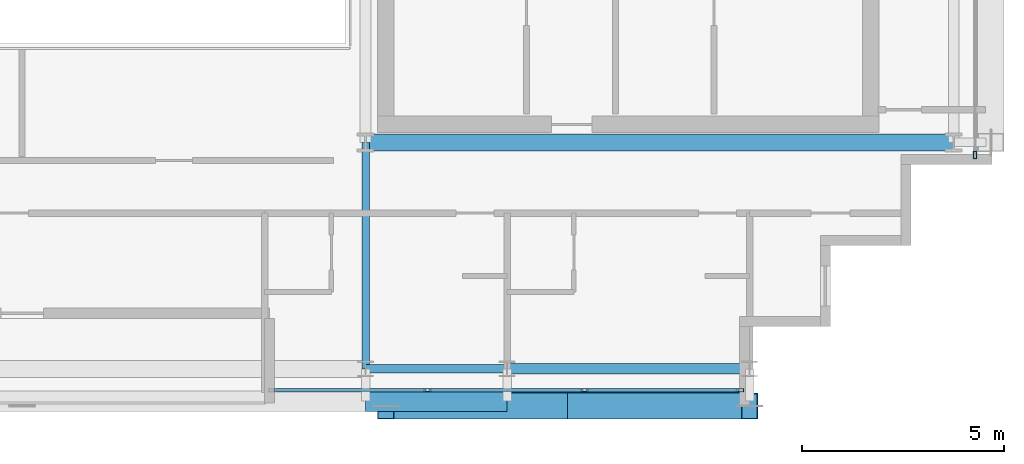
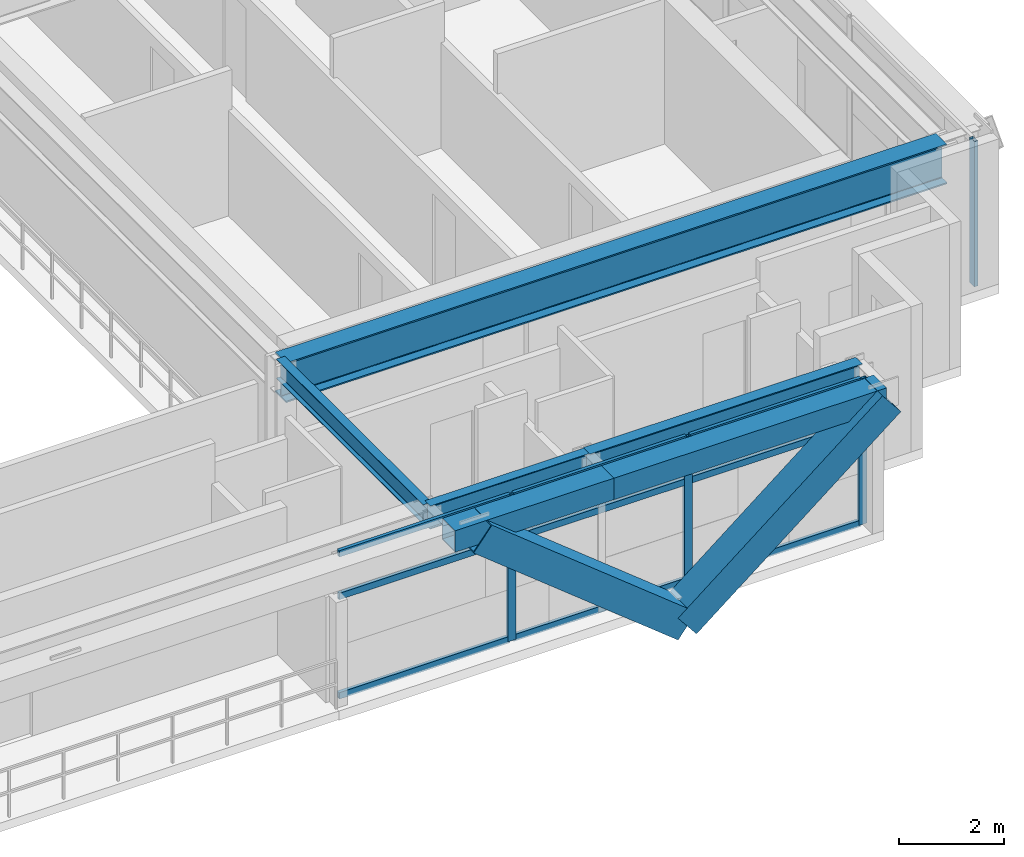
# One storey, part 8 of 28: 15 members, 6 beams, 2 elements without a shape of their own.
"""IFC4 building model written with IfcOpenShell, lengths in metres."""

from ifc_helpers import new_model, si_unit, direction, frame, origin, origin_2d, place, context, subcontext, project, spatial, hollow_rectangle, i_section, extrude, source, transform, mapped, material, layer, layer_set, material_profile, profile_set, type_object, element, aggregate, save


model = new_model("IFC4")

# Units and contexts
model_context = context("Model", 3, precision=1e-05, world=origin(), true_north=direction((0.0, 1.0)))
body_context = subcontext(model_context, "Body", "Model", "MODEL_VIEW")
ifc_project = project(units=[si_unit("LENGTHUNIT", "METRE"), si_unit("AREAUNIT", "SQUARE_METRE"), si_unit("VOLUMEUNIT", "CUBIC_METRE"), si_unit("PLANEANGLEUNIT", "RADIAN"), si_unit("MASSUNIT", "GRAM", prefix="KILO")], contexts=[model_context])

# Site, building, storey
site_placement = place(None, origin())
site = spatial("IfcSite", under=ifc_project, at=site_placement, CompositionType="ELEMENT")
building_placement = place(site_placement, origin())
building = spatial("IfcBuilding", under=site, at=building_placement, Name="Ocotamira Hotel", CompositionType="ELEMENT")
storey_placement = place(building_placement, frame((0.0, 0.0, 240.0)))
storey = spatial("IfcBuildingStorey", under=building, at=storey_placement, Name="L60", CompositionType="ELEMENT", Elevation=240.0)

# Beams
ifc_material_1 = material(Name="Steel ASTM A992 Grade 50", Category="steel")
ifc_material_profile_1 = material_profile(ifc_material_1, i_section(OverallWidth=0.41796875, OverallDepth=0.927001953125, WebThickness=0.019287109375, FlangeThickness=0.031982421875, FilletRadius=0.02392578125, at=origin_2d()), Name="W36X231")
ifc_profile_set_1 = profile_set([ifc_material_profile_1], Name="Steel ASTM A992 Grade 50")
beam_type_1 = type_object("IfcBeamType", Name="BM-GIRD-W36X231", PredefinedType="BEAM", material=ifc_profile_set_1)
shared_shape_1 = source(origin(), body_context, "Body", "SweptSolid", [
    extrude(i_section(OverallWidth=0.41796875, OverallDepth=0.927001953125, WebThickness=0.019287109375, FlangeThickness=0.031982421875, FilletRadius=0.02392578125, at=origin_2d()), origin(), (0.0, 0.0, 1.0), 14.550048828125),
])
beam_1_placement = place(storey_placement, frame((40.5, 14.550048828125, 2.91650390625), z_axis=(1.0, 0.0, 0.0), x_axis=(0.0, 1.0, 0.0)))
element("IfcBeam", 1, at=beam_1_placement, inside=storey, type_object=beam_type_1, Name="L60 Girder Y14.55 X40.5-55.05", PredefinedType="BEAM", context=body_context, shape_type="MappedRepresentation", body=[
    mapped(shared_shape_1, transform((0.0, 0.0, 0.0), scale=1.0)),
])
ifc_material_profile_2 = material_profile(ifc_material_1, i_section(OverallWidth=0.256103515625, OverallDepth=0.693115234375, WebThickness=0.014404296875, FlangeThickness=0.023681640625, FilletRadius=0.01611328125, at=origin_2d()), Name="W27X114")
ifc_profile_set_2 = profile_set([ifc_material_profile_2], Name="Steel ASTM A992 Grade 50")
beam_type_2 = type_object("IfcBeamType", Name="BM-PRIM-W27X114", PredefinedType="BEAM", material=ifc_profile_set_2)
shared_shape_2 = source(origin(), body_context, "Body", "SweptSolid", [
    extrude(i_section(OverallWidth=0.256103515625, OverallDepth=0.693115234375, WebThickness=0.014404296875, FlangeThickness=0.023681640625, FilletRadius=0.01611328125, at=origin_2d()), origin(), (0.0, 0.0, 1.0), 6.0),
])
beam_2_placement = place(storey_placement, frame((44.0, 8.949951171875, 3.033447265625), z_axis=(1.0, 0.0, 0.0), x_axis=(0.0, 1.0, 0.0)))
element("IfcBeam", 2, at=beam_2_placement, inside=storey, type_object=beam_type_2, Name="L60 Girder Y8.95 X44-50", PredefinedType="BEAM", context=body_context, shape_type="MappedRepresentation", body=[
    mapped(shared_shape_2, transform((0.0, 0.0, 0.0), scale=1.0)),
])
ifc_material_profile_3 = material_profile(ifc_material_1, i_section(OverallWidth=0.2099609375, OverallDepth=0.537109375, WebThickness=0.010986328125, FlangeThickness=0.017333984375, FilletRadius=0.012939453125, at=origin_2d()), Name="W21X68")
ifc_profile_set_3 = profile_set([ifc_material_profile_3], Name="Steel ASTM A992 Grade 50")
beam_type_3 = type_object("IfcBeamType", Name="BM-SEC-W21X68", PredefinedType="JOIST", material=ifc_profile_set_3)
shared_shape_3 = source(origin(), body_context, "Body", "SweptSolid", [
    extrude(i_section(OverallWidth=0.2099609375, OverallDepth=0.537109375, WebThickness=0.010986328125, FlangeThickness=0.017333984375, FilletRadius=0.012939453125, at=origin_2d()), origin(), (0.0, 0.0, 1.0), 3.5),
])
beam_3_placement = place(storey_placement, frame((40.5, 8.949951171875, 3.111572265625), z_axis=(1.0, 0.0, 0.0), x_axis=(0.0, 1.0, 0.0)))
element("IfcBeam", 3, at=beam_3_placement, inside=storey, type_object=beam_type_3, Name="L60 Girder Y8.95 X40.5-44", PredefinedType="JOIST", context=body_context, shape_type="MappedRepresentation", body=[
    mapped(shared_shape_3, transform((0.0, 0.0, 0.0), scale=1.0)),
])
ifc_material_2 = material(Name="Steel ASTM A500 Grade C", Category="steel")
ifc_material_profile_4 = material_profile(ifc_material_2, hollow_rectangle(XDim=0.5, YDim=0.5, WallThickness=0.02001953125, at=origin_2d()), Name="HSS500X500X20")
ifc_profile_set_4 = profile_set([ifc_material_profile_4], Name="Steel ASTM A500 Grade C")
beam_type_4 = type_object("IfcBeamType", Name="BM-SPAN-HSS500", PredefinedType="USERDEFINED", material=ifc_profile_set_4)
shared_shape_4 = source(origin(), body_context, "Body", "SweptSolid", [
    extrude(hollow_rectangle(XDim=0.5, YDim=0.5, WallThickness=0.02001953125, at=origin_2d()), origin(), (0.0, 0.0, 1.0), 6.0),
])
beam_4_placement = place(storey_placement, frame((44.0, 8.14990234375, 3.1298828125), z_axis=(1.0, 0.0, 0.0), x_axis=(0.0, 1.0, 0.0)))
element("IfcBeam", 4, at=beam_4_placement, inside=storey, type_object=beam_type_4, Name="L60 Edge Spandrel S X44-50", ObjectType="SPANDREL", PredefinedType="USERDEFINED", context=body_context, shape_type="MappedRepresentation", body=[
    mapped(shared_shape_4, transform((0.0, 0.0, 0.0), scale=1.0)),
])
shared_shape_5 = source(origin(), body_context, "Body", "SweptSolid", [
    extrude(hollow_rectangle(XDim=0.5, YDim=0.5, WallThickness=0.02001953125, at=origin_2d()), origin(), (0.0, 0.0, 1.0), 3.5),
])
beam_5_placement = place(storey_placement, frame((40.5, 8.14990234375, 3.1298828125), z_axis=(1.0, 0.0, 0.0), x_axis=(0.0, 1.0, 0.0)))
element("IfcBeam", 5, at=beam_5_placement, inside=storey, type_object=beam_type_4, Name="L60 Edge Spandrel S X40.5-44", ObjectType="SPANDREL", PredefinedType="USERDEFINED", context=body_context, shape_type="MappedRepresentation", body=[
    mapped(shared_shape_5, transform((0.0, 0.0, 0.0), scale=1.0)),
])
ifc_material_profile_5 = material_profile(ifc_material_1, i_section(OverallWidth=0.18994140625, OverallDepth=0.45703125, WebThickness=0.009033203125, FlangeThickness=0.014404296875, FilletRadius=0.010009765625, at=origin_2d()), Name="W18X50")
ifc_profile_set_5 = profile_set([ifc_material_profile_5], Name="Steel ASTM A992 Grade 50")
beam_type_5 = type_object("IfcBeamType", Name="BM-SEC-W18X50", PredefinedType="JOIST", material=ifc_profile_set_5)
shared_shape_6 = source(origin(), body_context, "Body", "SweptSolid", [
    extrude(i_section(OverallWidth=0.18994140625, OverallDepth=0.45703125, WebThickness=0.009033203125, FlangeThickness=0.014404296875, FilletRadius=0.010009765625, at=origin_2d()), origin(), (0.0, 0.0, 1.0), 5.60009765625),
])
beam_6_placement = place(storey_placement, frame((40.5, 8.949951171875, 3.151611328125), z_axis=(0.0, 1.0, 0.0), x_axis=(-1.0, 0.0, 0.0)))
element("IfcBeam", 6, at=beam_6_placement, inside=storey, type_object=beam_type_5, Name="L60 Beam X40.5 Y8.95-14.55", PredefinedType="JOIST", context=body_context, shape_type="MappedRepresentation", body=[
    mapped(shared_shape_6, transform((0.0, 0.0, 0.0), scale=1.0)),
])

# Members
ifc_material_3 = material(Name="Pale-metal coated steel ASTM A913 Grade 65", Category="steel")
ifc_material_profile_6 = material_profile(ifc_material_3, hollow_rectangle(XDim=0.64990234375, YDim=0.64990234375, WallThickness=0.02197265625, at=origin_2d()), Name="BOX650X650X22")
ifc_profile_set_6 = profile_set([ifc_material_profile_6], Name="Pale-metal coated steel ASTM A913 Grade 65")
member_type_1 = type_object("IfcMemberType", Name="MEM-EXO-BOX650", PredefinedType="BRACE", material=ifc_profile_set_6)
shared_shape_7 = source(origin(), body_context, "Body", "SweptSolid", [
    extrude(hollow_rectangle(XDim=0.64990234375, YDim=0.64990234375, WallThickness=0.02197265625, at=origin_2d()), origin(), (0.0, 0.0, 1.0), 5.7626953125),
])
for number, where, z_axis, x_axis, name in (
    (7, (45.5, 8.030029296875, -0.469970703125), (-0.780881208953, 0.0, 0.624679547852), (0.0, -1.0, 0.0), "L60 Exoskeleton Diagrid S3.1"),
    (8, (45.5, 8.030029296875, -0.469970703125), (0.780881208953, 0.0, 0.624679547852), (0.0, 1.0, 0.0), "L60 Exoskeleton Diagrid S3.2"),
):
    element("IfcMember", number, at=place(storey_placement, frame(where, z_axis=z_axis, x_axis=x_axis)), inside=storey, type_object=member_type_1, Name=name, PredefinedType="BRACE", context=body_context, shape_type="MappedRepresentation", body=[
        mapped(shared_shape_7, transform((0.0, 0.0, 0.0), scale=1.0)),
    ])

# Curtain wall, members
ifc_material_4 = material(Name="Anodised pale-metal aluminium and solar glass", Category="aluminium")
ifc_layer = layer(ifc_material_4, 0.239990234375)
ifc_layer_set = layer_set([ifc_layer], Name="Anodised pale-metal aluminium and solar glass")
curtain_wall_type = type_object("IfcCurtainWallType", Name="CW-SYS5-SKY", PredefinedType="NOTDEFINED", material=ifc_layer_set)
curtain_wall_1_placement = place(storey_placement, origin())
curtain_wall_1 = element("IfcCurtainWall", 9, at=curtain_wall_1_placement, inside=storey, type_object=curtain_wall_type, Name="L60 Curtain Wall CW-5 CW-L60-S2", PredefinedType="NOTDEFINED")
ifc_material_5 = material(Name="Anodised pale-metal aluminium 6063-T6", Category="aluminium")
ifc_material_profile_7 = material_profile(ifc_material_5, hollow_rectangle(XDim=0.074951171875, YDim=0.14990234375, WallThickness=0.006103515625, at=origin_2d()), Name="HSS150X75X6")
ifc_profile_set_7 = profile_set([ifc_material_profile_7], Name="Anodised pale-metal aluminium 6063-T6")
member_type_2 = type_object("IfcMemberType", Name="CWT-150X75", PredefinedType="USERDEFINED", material=ifc_profile_set_7)
shared_shape_8 = source(origin(), body_context, "Body", "SweptSolid", [
    extrude(hollow_rectangle(XDim=0.074951171875, YDim=0.14990234375, WallThickness=0.006103515625, at=origin_2d()), origin(), (0.0, 0.0, 1.0), 3.76318359375),
])
member_1_placement = place(storey_placement, frame((45.956787109375, 8.419921875, 0.03759765625), z_axis=(1.0, 0.0, 0.0), x_axis=(0.0, 1.0, 0.0)))
member_1 = element("IfcMember", 10, at=member_1_placement, type_object=member_type_2, Name="CW-5 transom 3.1", ObjectType="TRANSOM", PredefinedType="USERDEFINED", context=body_context, shape_type="MappedRepresentation", body=[
    mapped(shared_shape_8, transform((0.0, 0.0, 0.0), scale=1.0)),
])
member_2_placement = place(storey_placement, frame((45.956787109375, 8.419921875, 2.35009765625), z_axis=(1.0, 0.0, 0.0), x_axis=(0.0, 1.0, 0.0)))
member_2 = element("IfcMember", 11, at=member_2_placement, type_object=member_type_2, Name="CW-5 transom 3.2", ObjectType="TRANSOM", PredefinedType="USERDEFINED", context=body_context, shape_type="MappedRepresentation", body=[
    mapped(shared_shape_8, transform((0.0, 0.0, 0.0), scale=1.0)),
])
member_3_placement = place(storey_placement, frame((45.956787109375, 8.419921875, 3.342529296875), z_axis=(1.0, 0.0, 0.0), x_axis=(0.0, 1.0, 0.0)))
member_3 = element("IfcMember", 12, at=member_3_placement, type_object=member_type_2, Name="CW-5 transom 3.3", ObjectType="TRANSOM", PredefinedType="USERDEFINED", context=body_context, shape_type="MappedRepresentation", body=[
    mapped(shared_shape_8, transform((0.0, 0.0, 0.0), scale=1.0)),
])
shared_shape_9 = source(origin(), body_context, "Body", "SweptSolid", [
    extrude(hollow_rectangle(XDim=0.074951171875, YDim=0.14990234375, WallThickness=0.006103515625, at=origin_2d()), origin(), (0.0, 0.0, 1.0), 3.803466796875),
])
member_4_placement = place(storey_placement, frame((42.0732421875, 8.419921875, 0.03759765625), z_axis=(1.0, 0.0, 0.0), x_axis=(0.0, 1.0, 0.0)))
member_4 = element("IfcMember", 13, at=member_4_placement, type_object=member_type_2, Name="CW-5 transom 2.1", ObjectType="TRANSOM", PredefinedType="USERDEFINED", context=body_context, shape_type="MappedRepresentation", body=[
    mapped(shared_shape_9, transform((0.0, 0.0, 0.0), scale=1.0)),
])
member_5_placement = place(storey_placement, frame((42.0732421875, 8.419921875, 2.35009765625), z_axis=(1.0, 0.0, 0.0), x_axis=(0.0, 1.0, 0.0)))
member_5 = element("IfcMember", 14, at=member_5_placement, type_object=member_type_2, Name="CW-5 transom 2.2", ObjectType="TRANSOM", PredefinedType="USERDEFINED", context=body_context, shape_type="MappedRepresentation", body=[
    mapped(shared_shape_9, transform((0.0, 0.0, 0.0), scale=1.0)),
])
member_6_placement = place(storey_placement, frame((42.0732421875, 8.419921875, 3.342529296875), z_axis=(1.0, 0.0, 0.0), x_axis=(0.0, 1.0, 0.0)))
member_6 = element("IfcMember", 15, at=member_6_placement, type_object=member_type_2, Name="CW-5 transom 2.3", ObjectType="TRANSOM", PredefinedType="USERDEFINED", context=body_context, shape_type="MappedRepresentation", body=[
    mapped(shared_shape_9, transform((0.0, 0.0, 0.0), scale=1.0)),
])
shared_shape_10 = source(origin(), body_context, "Body", "SweptSolid", [
    extrude(hollow_rectangle(XDim=0.074951171875, YDim=0.14990234375, WallThickness=0.006103515625, at=origin_2d()), origin(), (0.0, 0.0, 1.0), 3.763427734375),
])
member_7_placement = place(storey_placement, frame((38.22998046875, 8.419921875, 0.03759765625), z_axis=(1.0, 0.0, 0.0), x_axis=(0.0, 1.0, 0.0)))
member_7 = element("IfcMember", 16, at=member_7_placement, type_object=member_type_2, Name="CW-5 transom 1.1", ObjectType="TRANSOM", PredefinedType="USERDEFINED", context=body_context, shape_type="MappedRepresentation", body=[
    mapped(shared_shape_10, transform((0.0, 0.0, 0.0), scale=1.0)),
])
member_8_placement = place(storey_placement, frame((38.22998046875, 8.419921875, 2.35009765625), z_axis=(1.0, 0.0, 0.0), x_axis=(0.0, 1.0, 0.0)))
member_8 = element("IfcMember", 17, at=member_8_placement, type_object=member_type_2, Name="CW-5 transom 1.2", ObjectType="TRANSOM", PredefinedType="USERDEFINED", context=body_context, shape_type="MappedRepresentation", body=[
    mapped(shared_shape_10, transform((0.0, 0.0, 0.0), scale=1.0)),
])
member_9_placement = place(storey_placement, frame((38.22998046875, 8.419921875, 3.342529296875), z_axis=(1.0, 0.0, 0.0), x_axis=(0.0, 1.0, 0.0)))
member_9 = element("IfcMember", 18, at=member_9_placement, type_object=member_type_2, Name="CW-5 transom 1.3", ObjectType="TRANSOM", PredefinedType="USERDEFINED", context=body_context, shape_type="MappedRepresentation", body=[
    mapped(shared_shape_10, transform((0.0, 0.0, 0.0), scale=1.0)),
])
ifc_material_profile_8 = material_profile(ifc_material_5, hollow_rectangle(XDim=0.080078125, YDim=0.179931640625, WallThickness=0.006103515625, at=origin_2d()), Name="HSS180X80X6")
ifc_profile_set_8 = profile_set([ifc_material_profile_8], Name="Anodised pale-metal aluminium 6063-T6")
member_type_3 = type_object("IfcMemberType", Name="CWM-180X75", PredefinedType="MULLION", material=ifc_profile_set_8)
shared_shape_11 = source(origin(), body_context, "Body", "SweptSolid", [
    extrude(hollow_rectangle(XDim=0.080078125, YDim=0.179931640625, WallThickness=0.006103515625, at=origin_2d()), origin(), (0.0, 0.0, 1.0), 3.3798828125),
])
member_10_placement = place(storey_placement, frame((42.033447265625, 8.419921875, 0.0), z_axis=(0.0, 0.0, 1.0), x_axis=(0.0, 1.0, 0.0)))
member_10 = element("IfcMember", 19, at=member_10_placement, type_object=member_type_3, Name="CW-5 mullion 2", PredefinedType="MULLION", context=body_context, shape_type="MappedRepresentation", body=[
    mapped(shared_shape_11, transform((0.0, 0.0, 0.0), scale=1.0)),
])
member_11_placement = place(storey_placement, frame((45.916748046875, 8.419921875, 0.0), z_axis=(0.0, 0.0, 1.0), x_axis=(0.0, 1.0, 0.0)))
member_11 = element("IfcMember", 20, at=member_11_placement, type_object=member_type_3, Name="CW-5 mullion 3", PredefinedType="MULLION", context=body_context, shape_type="MappedRepresentation", body=[
    mapped(shared_shape_11, transform((0.0, 0.0, 0.0), scale=1.0)),
])
member_12_placement = place(storey_placement, frame((49.760009765625, 8.419921875, 0.0), z_axis=(0.0, 0.0, 1.0), x_axis=(0.0, 1.0, 0.0)))
member_12 = element("IfcMember", 21, at=member_12_placement, type_object=member_type_3, Name="CW-5 mullion 4", PredefinedType="MULLION", context=body_context, shape_type="MappedRepresentation", body=[
    mapped(shared_shape_11, transform((0.0, 0.0, 0.0), scale=1.0)),
])
aggregate(curtain_wall_1, [member_10, member_11, member_12, member_7, member_8, member_9, member_4, member_5, member_6, member_1, member_2, member_3])

# Curtain wall, member
curtain_wall_2_placement = place(storey_placement, origin())
curtain_wall_2 = element("IfcCurtainWall", 22, at=curtain_wall_2_placement, inside=storey, type_object=curtain_wall_type, Name="L60 Curtain Wall CW-5 CW-L60-E", PredefinedType="NOTDEFINED")
member_13_placement = place(storey_placement, frame((55.580078125, 14.239990234375, 0.0), z_axis=(0.0, 0.0, 1.0), x_axis=(-1.0, 0.0, 0.0)))
member_13 = element("IfcMember", 23, at=member_13_placement, type_object=member_type_3, Name="CW-5 mullion 1", PredefinedType="MULLION", context=body_context, shape_type="MappedRepresentation", body=[
    mapped(shared_shape_11, transform((0.0, 0.0, 0.0), scale=1.0)),
])
aggregate(curtain_wall_2, [member_13])

save(model, "model.ifc")
